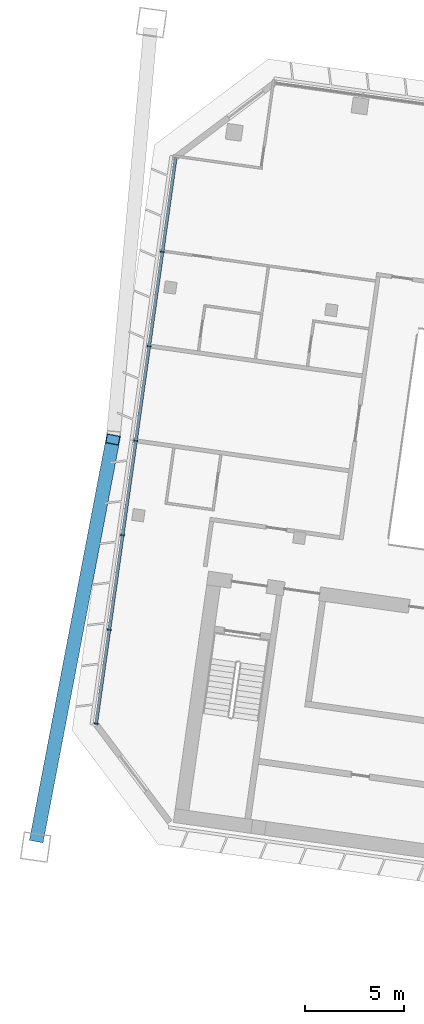
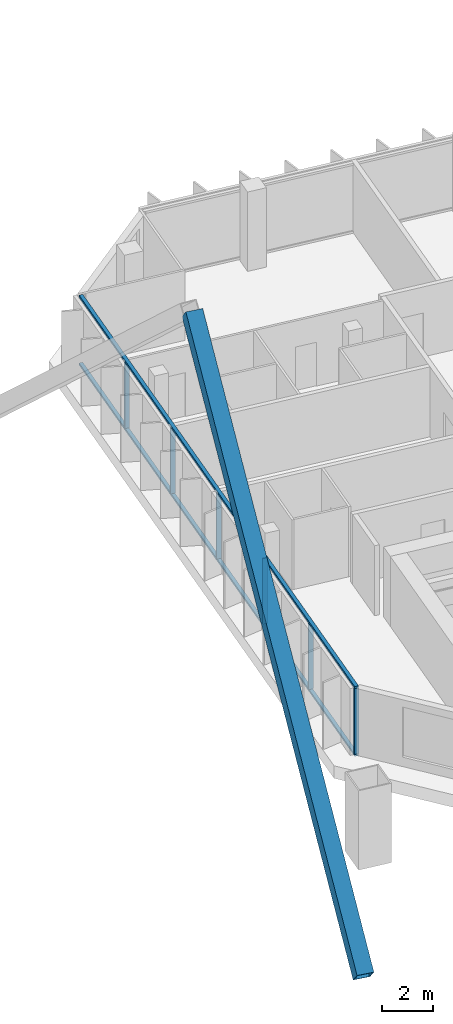
# One storey, part 2 of 28: 9 members, 1 element without a shape of its own.
"""IFC4 building model written with IfcOpenShell, lengths in metres."""

from ifc_helpers import new_model, si_unit, direction, frame, origin, origin_2d, place, context, subcontext, project, spatial, rectangle, hollow_rectangle, extrude, material, material_profile, profile_set, type_object, element, aggregate, save


model = new_model("IFC4")

# Units and contexts
model_context = context("Model", 3, precision=1e-05, world=origin(), true_north=direction((0.0, 1.0)))
body_context = subcontext(model_context, "Body", "Model", "MODEL_VIEW")
ifc_project = project(units=[si_unit("LENGTHUNIT", "METRE"), si_unit("AREAUNIT", "SQUARE_METRE"), si_unit("VOLUMEUNIT", "CUBIC_METRE"), si_unit("PLANEANGLEUNIT", "RADIAN"), si_unit("MASSUNIT", "GRAM", prefix="KILO")], contexts=[model_context])

# Site, building, storey
site_placement = place(None, origin())
site = spatial("IfcSite", under=ifc_project, at=site_placement, CompositionType="ELEMENT")
building_placement = place(site_placement, origin())
building = spatial("IfcBuilding", under=site, at=building_placement, Name="Mirante Cascada Hotel Towers", CompositionType="ELEMENT")
storey_placement = place(building_placement, frame((0.0, 0.0, 165.0)))
storey = spatial("IfcBuildingStorey", under=building, at=storey_placement, Name="L38", CompositionType="ELEMENT", Elevation=165.0)

# Member
ifc_material_1 = material(Name="Steel ASTM A572 Gr 50", Category="steel")
ifc_material_profile_1 = material_profile(ifc_material_1, hollow_rectangle(XDim=0.7, YDim=0.7, WallThickness=0.035, at=origin_2d()), Name="Box brace 700x700x35 ASTM A572 Gr 50")
ifc_profile_set_1 = profile_set([ifc_material_profile_1], Name="Steel ASTM A572 Gr 50")
member_type_1 = type_object("IfcMemberType", Name="Box brace 700x700x35 ASTM A572 Gr 50", PredefinedType="BRACE", material=ifc_profile_set_1)
member_1_placement = place(storey_placement, frame((-97.2182, -13.2381, -6.0447), z_axis=(0.1394637, 0.7317072, 0.667199), x_axis=(-0.9823161, 0.1872298, 0.0)))
element("IfcMember", 1, at=member_1_placement, inside=storey, type_object=member_type_1, Name="brace T1 L38 1", PredefinedType="BRACE", context=body_context, shape_type="SweptSolid", body=[
    extrude(hollow_rectangle(XDim=0.7, YDim=0.7, WallThickness=0.035, at=origin_2d()), origin(), (0.0, 0.0, 1.0), 27.4043),
])

# Curtain wall, members
ifc_material_2 = material(Name="Aluminium mullion and transom frame with clear laminated glass", Category="aluminium")
curtain_wall_type = type_object("IfcCurtainWallType", Name="End ribbon curtain wall ECW2", PredefinedType="NOTDEFINED", material=ifc_material_2)
curtain_wall_placement = place(storey_placement, origin())
curtain_wall = element("IfcCurtainWall", 2, at=curtain_wall_placement, inside=storey, type_object=curtain_wall_type, Name="Outer end wall T1 L38", PredefinedType="NOTDEFINED")
ifc_material_3 = material(Name="Anodised aluminium extrusion", Category="aluminium")
ifc_material_profile_2 = material_profile(ifc_material_3, rectangle(XDim=0.2, YDim=0.065, at=origin_2d()), Name="ECW2 MULLION 65x200")
ifc_profile_set_2 = profile_set([ifc_material_profile_2], Name="Anodised aluminium extrusion")
member_type_2 = type_object("IfcMemberType", Name="ECW2 mullion 65x200", PredefinedType="MULLION", material=ifc_profile_set_2)
member_2_placement = place(storey_placement, frame((-94.2432, -7.5181, 0.1), z_axis=(0.0, 0.0, 1.0), x_axis=(-0.9902681, 0.1391731, 0.0)))
member_2 = element("IfcMember", 3, at=member_2_placement, type_object=member_type_2, Name="ECW2 mullion 1", PredefinedType="MULLION", context=body_context, shape_type="SweptSolid", body=[
    extrude(rectangle(XDim=0.2, YDim=0.065, at=origin_2d()), origin(), (0.0, 0.0, 1.0), 3.15),
])
member_3_placement = place(storey_placement, frame((-93.5779, -2.7845, 0.1), z_axis=(0.0, 0.0, 1.0), x_axis=(-0.9902681, 0.1391731, 0.0)))
member_3 = element("IfcMember", 4, at=member_3_placement, type_object=member_type_2, Name="ECW2 mullion 2", PredefinedType="MULLION", context=body_context, shape_type="SweptSolid", body=[
    extrude(rectangle(XDim=0.2, YDim=0.065, at=origin_2d()), origin(), (0.0, 0.0, 1.0), 3.15),
])
member_4_placement = place(storey_placement, frame((-92.9081, 1.9812, 0.1), z_axis=(0.0, 0.0, 1.0), x_axis=(-0.9902681, 0.1391731, 0.0)))
member_4 = element("IfcMember", 5, at=member_4_placement, type_object=member_type_2, Name="ECW2 mullion 3", PredefinedType="MULLION", context=body_context, shape_type="SweptSolid", body=[
    extrude(rectangle(XDim=0.2, YDim=0.065, at=origin_2d()), origin(), (0.0, 0.0, 1.0), 3.15),
])
member_5_placement = place(storey_placement, frame((-92.2383, 6.747, 0.1), z_axis=(0.0, 0.0, 1.0), x_axis=(-0.9902681, 0.1391731, 0.0)))
member_5 = element("IfcMember", 6, at=member_5_placement, type_object=member_type_2, Name="ECW2 mullion 4", PredefinedType="MULLION", context=body_context, shape_type="SweptSolid", body=[
    extrude(rectangle(XDim=0.2, YDim=0.065, at=origin_2d()), origin(), (0.0, 0.0, 1.0), 3.15),
])
member_6_placement = place(storey_placement, frame((-91.5686, 11.5128, 0.1), z_axis=(0.0, 0.0, 1.0), x_axis=(-0.9902681, 0.1391731, 0.0)))
member_6 = element("IfcMember", 7, at=member_6_placement, type_object=member_type_2, Name="ECW2 mullion 5", PredefinedType="MULLION", context=body_context, shape_type="SweptSolid", body=[
    extrude(rectangle(XDim=0.2, YDim=0.065, at=origin_2d()), origin(), (0.0, 0.0, 1.0), 3.15),
])
member_7_placement = place(storey_placement, frame((-90.8988, 16.2786, 0.1), z_axis=(0.0, 0.0, 1.0), x_axis=(-0.9902681, 0.1391731, 0.0)))
member_7 = element("IfcMember", 8, at=member_7_placement, type_object=member_type_2, Name="ECW2 mullion 6", PredefinedType="MULLION", context=body_context, shape_type="SweptSolid", body=[
    extrude(rectangle(XDim=0.2, YDim=0.065, at=origin_2d()), origin(), (0.0, 0.0, 1.0), 3.15),
])
ifc_material_4 = material(Name="Anodised aluminium extrusion", Category="aluminium")
ifc_material_profile_3 = material_profile(ifc_material_4, rectangle(XDim=0.16, YDim=0.1, at=origin_2d()), Name="ECW2 TRANSOM 100x160")
ifc_profile_set_3 = profile_set([ifc_material_profile_3], Name="Anodised aluminium extrusion")
member_type_3 = type_object("IfcMemberType", Name="ECW2 transom 100x160", PredefinedType="USERDEFINED", material=ifc_profile_set_3)
member_8_placement = place(storey_placement, frame((-94.2477, -7.5503, 0.05), z_axis=(0.1391723, 0.9902682, 0.0), x_axis=(-0.9902682, 0.1391723, 0.0)))
member_8 = element("IfcMember", 9, at=member_8_placement, type_object=member_type_3, Name="ECW2 sill transom", ObjectType="TRANSOM", PredefinedType="USERDEFINED", context=body_context, shape_type="SweptSolid", body=[
    extrude(rectangle(XDim=0.16, YDim=0.1, at=origin_2d()), origin(), (0.0, 0.0, 1.0), 28.8757),
])
member_9_placement = place(storey_placement, frame((-94.2477, -7.5503, 3.3), z_axis=(0.1391723, 0.9902682, 0.0), x_axis=(-0.9902682, 0.1391723, 0.0)))
member_9 = element("IfcMember", 10, at=member_9_placement, type_object=member_type_3, Name="ECW2 head transom", ObjectType="TRANSOM", PredefinedType="USERDEFINED", context=body_context, shape_type="SweptSolid", body=[
    extrude(rectangle(XDim=0.16, YDim=0.1, at=origin_2d()), origin(), (0.0, 0.0, 1.0), 28.8757),
])
aggregate(curtain_wall, [member_8, member_9, member_2, member_3, member_4, member_5, member_6, member_7])

save(model, "model.ifc")
